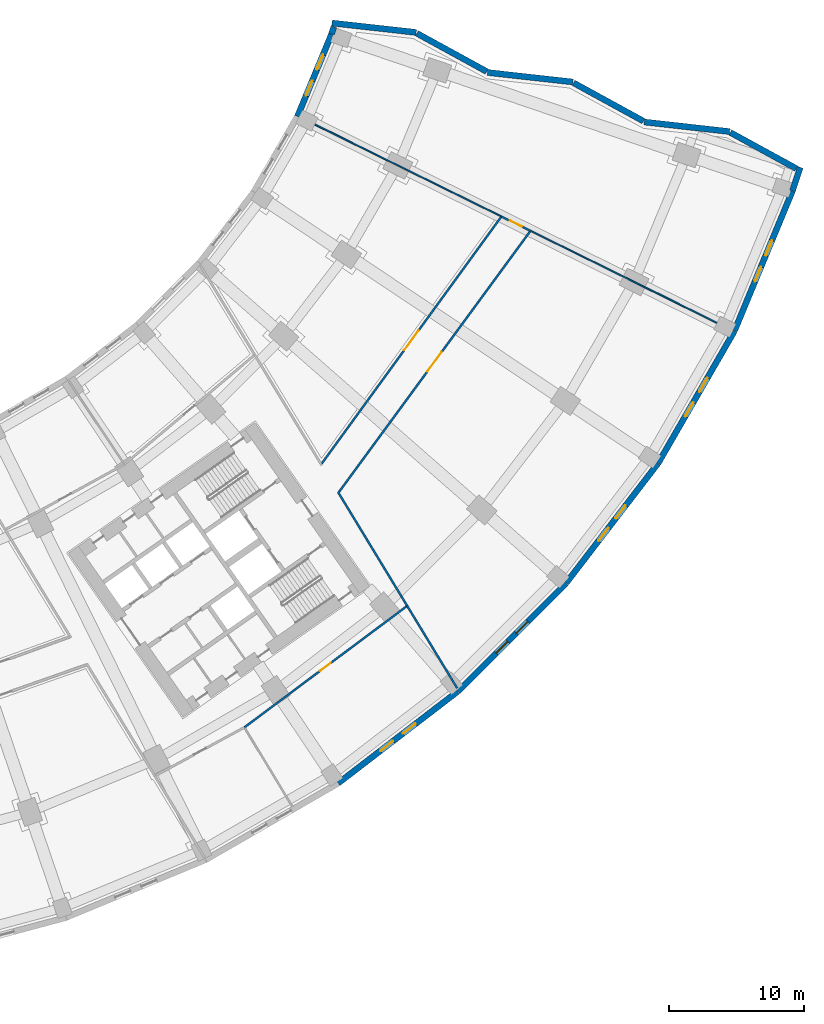
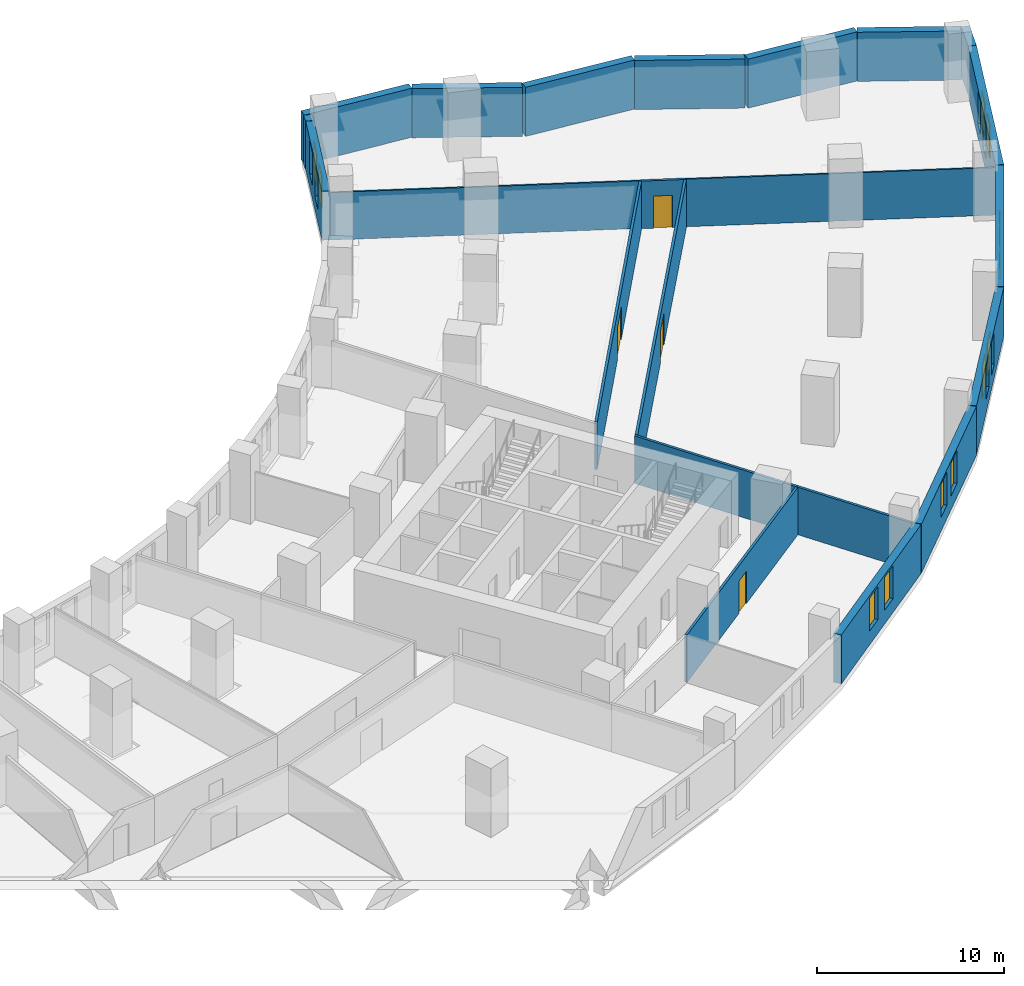
# One storey, part 13 of 20: 22 walls, 12 windows, 4 doors, 16 openings.
"""IFC4 building model written with IfcOpenShell, lengths in metres."""

from ifc_helpers import new_model, si_unit, direction, frame, frame_2d, origin, place, context, subcontext, project, spatial, rectangle, extrude, material, layer, layer_set, type_object, element, fill, save


model = new_model("IFC4")

# Units and contexts
model_context = context("Model", 3, precision=1e-05, world=origin(), true_north=direction((0.0, 1.0)))
body_context = subcontext(model_context, "Body", "Model", "MODEL_VIEW")
ifc_project = project(units=[si_unit("LENGTHUNIT", "METRE"), si_unit("AREAUNIT", "SQUARE_METRE"), si_unit("VOLUMEUNIT", "CUBIC_METRE"), si_unit("PLANEANGLEUNIT", "RADIAN"), si_unit("MASSUNIT", "GRAM", prefix="KILO")], contexts=[model_context])

# Site, building, storey
site_placement = place(None, origin())
site = spatial("IfcSite", under=ifc_project, at=site_placement, CompositionType="ELEMENT")
building_placement = place(site_placement, origin())
building = spatial("IfcBuilding", under=site, at=building_placement, Name="Qamariyya Broadcast Tower", CompositionType="ELEMENT")
storey_placement = place(building_placement, frame((0.0, 0.0, 31.5)))
storey = spatial("IfcBuildingStorey", under=building, at=storey_placement, Name="L04", CompositionType="ELEMENT", Elevation=31.5)

# Wall, opening, door
ifc_material_1 = material(Name="Gypsum board partition")
ifc_layer_1 = layer(ifc_material_1, 0.14990234375)
ifc_layer_set_1 = layer_set([ifc_layer_1], Name="Corridor partition 150 EI 60")
wall_type_1 = type_object("IfcWallType", Name="Corridor partition 150 EI 60", PredefinedType="PARTITIONING", material=ifc_layer_set_1)
wall_1_placement = place(storey_placement, frame((52.87548828125, -58.41650390625, 0.0), z_axis=(0.0, 0.0, 1.0), x_axis=(-0.801483412858, -0.598017005539, 0.0)))
wall_1 = element("IfcWall", 1, at=wall_1_placement, inside=storey, type_object=wall_type_1, Name="Partition L04-055", PredefinedType="PARTITIONING", context=body_context, shape_type="SweptSolid", body=[
    extrude(rectangle(XDim=14.96533203125, YDim=0.14990234375, at=frame_2d((7.482666015625, 0.0))), origin(), (0.0, 0.0, 1.0), 3.10009765625),
])
opening_1_placement = place(wall_1_placement, frame((6.982666015625, 0.0, 0.0)))
opening_1 = element("IfcOpeningElement", 2, at=opening_1_placement, cuts=wall_1, Name="Opening L04-D25", PredefinedType="OPENING", context=body_context, shape_type="SweptSolid", body=[
    extrude(rectangle(XDim=1.0, YDim=2.10009765625, at=frame_2d((0.5, 1.050048828125))), frame((0.0, 0.0849609375, 0.0), z_axis=(0.0, -1.0, 0.0), x_axis=(1.0, 0.0, 0.0)), (0.0, 0.0, 1.0), 0.169921875),
])
ifc_material_2 = material(Name="Timber fire door leaf", Category="wood")
door_type_1 = type_object("IfcDoorType", Name="Fire door 1000 x 2100 FD60", OperationType="NOTDEFINED", PredefinedType="DOOR", material=ifc_material_2)
door_1_placement = place(opening_1_placement, origin())
door_1 = element("IfcDoor", 3, at=door_1_placement, inside=storey, type_object=door_type_1, Name="Door L04-D25", OperationType="SINGLE_SWING_RIGHT", OverallHeight=2.10009765625, OverallWidth=1.0, PredefinedType="DOOR", context=body_context, shape_type="SweptSolid", body=[
    extrude(rectangle(XDim=1.0, YDim=2.10009765625, at=frame_2d((0.5, 1.050048828125))), frame((0.0, 0.02490234375, 0.0), z_axis=(0.0, -1.0, 0.0), x_axis=(1.0, 0.0, 0.0)), (0.0, 0.0, 1.0), 0.050048828125),
])
fill(opening_1, door_1)

wall_2_placement = place(storey_placement, frame((46.613525390625, -47.830322265625, 0.0), z_axis=(0.0, 0.0, 1.0), x_axis=(0.588142064446, 0.808757634912, 0.0)))
wall_2 = element("IfcWall", 4, at=wall_2_placement, inside=storey, type_object=wall_type_1, Name="Partition L04-058", PredefinedType="PARTITIONING", context=body_context, shape_type="SweptSolid", body=[
    extrude(rectangle(XDim=22.534423828125, YDim=0.14990234375, at=frame_2d((11.26708984375, 0.0))), origin(), (0.0, 0.0, 1.0), 3.10009765625),
])
opening_2_placement = place(wall_2_placement, frame((10.3671875, 0.0, 0.0)))
opening_2 = element("IfcOpeningElement", 5, at=opening_2_placement, cuts=wall_2, Name="Opening L04-D26", PredefinedType="OPENING", context=body_context, shape_type="SweptSolid", body=[
    extrude(rectangle(XDim=1.800048828125, YDim=2.10009765625, at=frame_2d((0.89990234375, 1.050048828125))), frame((0.0, 0.0849609375, 0.0), z_axis=(0.0, -1.0, 0.0), x_axis=(1.0, 0.0, 0.0)), (0.0, 0.0, 1.0), 0.169921875),
])
door_type_2 = type_object("IfcDoorType", Name="Double fire door 1800 x 2100 FD60", OperationType="NOTDEFINED", PredefinedType="DOOR", material=ifc_material_2)
door_2_placement = place(opening_2_placement, origin())
door_2 = element("IfcDoor", 6, at=door_2_placement, inside=storey, type_object=door_type_2, Name="Door L04-D26", OperationType="DOUBLE_DOOR_SINGLE_SWING", OverallHeight=2.10009765625, OverallWidth=1.800048828125, PredefinedType="DOOR", context=body_context, shape_type="SweptSolid", body=[
    extrude(rectangle(XDim=1.800048828125, YDim=2.10009765625, at=frame_2d((0.89990234375, 1.050048828125))), frame((0.0, 0.02490234375, 0.0), z_axis=(0.0, -1.0, 0.0), x_axis=(1.0, 0.0, 0.0)), (0.0, 0.0, 1.0), 0.050048828125),
])
fill(opening_2, door_2)

# Wall
wall_3_placement = place(storey_placement, frame((47.8076171875, -49.929443359375, 0.0), z_axis=(0.0, 0.0, 1.0), x_axis=(0.519169679695, -0.854671190392, 0.0)))
element("IfcWall", 7, at=wall_3_placement, inside=storey, type_object=wall_type_1, Name="Partition L04-059", PredefinedType="PARTITIONING", context=body_context, shape_type="SweptSolid", body=[
    extrude(rectangle(XDim=9.877685546875, YDim=0.14990234375, at=frame_2d((4.93896484375, 0.0))), origin(), (0.0, 0.0, 1.0), 3.10009765625),
])

# Wall, opening, door
wall_4_placement = place(storey_placement, frame((62.019287109375, -30.666748046875, 0.0), z_axis=(0.0, 0.0, 1.0), x_axis=(-0.59135701849, -0.806409868915, 0.0)))
wall_4 = element("IfcWall", 8, at=wall_4_placement, inside=storey, type_object=wall_type_1, Name="Partition L04-060", PredefinedType="PARTITIONING", context=body_context, shape_type="SweptSolid", body=[
    extrude(rectangle(XDim=23.8916015625, YDim=0.14990234375, at=frame_2d((11.94580078125, 0.0))), origin(), (0.0, 0.0, 1.0), 3.10009765625),
])
opening_3_placement = place(wall_4_placement, frame((11.045654296875, 0.0, 0.0)))
opening_3 = element("IfcOpeningElement", 9, at=opening_3_placement, cuts=wall_4, Name="Opening L04-D27", PredefinedType="OPENING", context=body_context, shape_type="SweptSolid", body=[
    extrude(rectangle(XDim=1.800048828125, YDim=2.10009765625, at=frame_2d((0.89990234375, 1.050048828125))), frame((0.0, 0.0849609375, 0.0), z_axis=(0.0, -1.0, 0.0), x_axis=(1.0, 0.0, 0.0)), (0.0, 0.0, 1.0), 0.169921875),
])
door_3_placement = place(opening_3_placement, origin())
door_3 = element("IfcDoor", 10, at=door_3_placement, inside=storey, type_object=door_type_2, Name="Door L04-D27", OperationType="DOUBLE_DOOR_SINGLE_SWING", OverallHeight=2.10009765625, OverallWidth=1.800048828125, PredefinedType="DOOR", context=body_context, shape_type="SweptSolid", body=[
    extrude(rectangle(XDim=1.800048828125, YDim=2.10009765625, at=frame_2d((0.89990234375, 1.050048828125))), frame((0.0, 0.02490234375, 0.0), z_axis=(0.0, -1.0, 0.0), x_axis=(1.0, 0.0, 0.0)), (0.0, 0.0, 1.0), 0.050048828125),
])
fill(opening_3, door_3)

# Wall
wall_5_placement = place(storey_placement, frame((52.935791015625, -58.37158203125, 0.0), z_axis=(0.0, 0.0, 1.0), x_axis=(0.519148894699, -0.854683815883, 0.0)))
element("IfcWall", 11, at=wall_5_placement, inside=storey, type_object=wall_type_1, Name="Partition L04-061", PredefinedType="PARTITIONING", context=body_context, shape_type="SweptSolid", body=[
    extrude(rectangle(XDim=7.12548828125, YDim=0.14990234375, at=frame_2d((3.562744140625, 0.0))), origin(), (0.0, 0.0, 1.0), 3.10009765625),
])

# Wall, opening, door
wall_6_placement = place(storey_placement, frame((59.9111328125, -29.544921875, 0.0), z_axis=(0.0, 0.0, 1.0), x_axis=(0.896855391649, -0.442323870564, 0.0)))
wall_6 = element("IfcWall", 12, at=wall_6_placement, inside=storey, type_object=wall_type_1, Name="Partition L04-063", PredefinedType="PARTITIONING", context=body_context, shape_type="SweptSolid", body=[
    extrude(rectangle(XDim=2.39990234375, YDim=0.14990234375, at=frame_2d((1.199951171875, 0.0))), origin(), (0.0, 0.0, 1.0), 3.10009765625),
])
opening_4_placement = place(wall_6_placement, frame((0.699951171875, 0.0, 0.0)))
opening_4 = element("IfcOpeningElement", 13, at=opening_4_placement, cuts=wall_6, Name="Opening L04-D28", PredefinedType="OPENING", context=body_context, shape_type="SweptSolid", body=[
    extrude(rectangle(XDim=1.0, YDim=2.10009765625, at=frame_2d((0.5, 1.050048828125))), frame((0.0, 0.0849609375, 0.0), z_axis=(0.0, -1.0, 0.0), x_axis=(1.0, 0.0, 0.0)), (0.0, 0.0, 1.0), 0.169921875),
])
door_4_placement = place(opening_4_placement, origin())
door_4 = element("IfcDoor", 14, at=door_4_placement, inside=storey, type_object=door_type_1, Name="Door L04-D28", OperationType="SINGLE_SWING_RIGHT", OverallHeight=2.10009765625, OverallWidth=1.0, PredefinedType="DOOR", context=body_context, shape_type="SweptSolid", body=[
    extrude(rectangle(XDim=1.0, YDim=2.10009765625, at=frame_2d((0.5, 1.050048828125))), frame((0.0, 0.02490234375, 0.0), z_axis=(0.0, -1.0, 0.0), x_axis=(1.0, 0.0, 0.0)), (0.0, 0.0, 1.0), 0.050048828125),
])
fill(opening_4, door_4)

# Walls
ifc_layer_2 = layer(ifc_material_1, 0.10009765625)
ifc_layer_set_2 = layer_set([ifc_layer_2], Name="Partition 100")
wall_type_2 = type_object("IfcWallType", Name="Partition 100", PredefinedType="PARTITIONING", material=ifc_layer_set_2)
for number, where, z_axis, x_axis, name in (
    (15, (59.9111328125, -29.544921875, 0.0), (0.0, 0.0, 1.0), (-0.896872708689, 0.44228875682, 0.0), "Partition L04-062"),
    (16, (76.95166015625, -37.948486328125, 0.0), (0.0, 0.0, 1.0), (-0.896872708689, 0.44228875682, 0.0), "Partition L04-064"),
):
    element("IfcWall", number, at=place(storey_placement, frame(where, z_axis=z_axis, x_axis=x_axis)), inside=storey, type_object=wall_type_2, Name=name, PredefinedType="PARTITIONING", context=body_context, shape_type="SweptSolid", body=[
        extrude(rectangle(XDim=16.60009765625, YDim=0.10009765625, at=frame_2d((8.300048828125, 0.0))), origin(), (0.0, 0.0, 1.0), 3.10009765625),
    ])
ifc_material_3 = material(Name="Precast concrete C40/50 with terracotta facing", Category="masonry")
ifc_layer_3 = layer(ifc_material_3, 0.449951171875)
ifc_layer_set_3 = layer_set([ifc_layer_3], Name="Precast concrete C40/50 wall 450, terracotta faced")
wall_type_3 = type_object("IfcWallType", Name="Precast concrete C40/50 wall 450, terracotta faced", PredefinedType="SOLIDWALL", material=ifc_layer_set_3)
wall_7_placement = place(storey_placement, frame((81.734130859375, -25.98974609375, 0.0), z_axis=(0.0, 0.0, 1.0), x_axis=(-0.877209140108, 0.480108450781, 0.0)))
element("IfcWall", 17, at=wall_7_placement, inside=storey, type_object=wall_type_3, Name="e-wl-L04-capE0", PredefinedType="SOLIDWALL", context=body_context, shape_type="SweptSolid", body=[
    extrude(rectangle(XDim=5.552978515625, YDim=0.449951171875, at=frame_2d((2.7763671875, 0.0))), origin(), (0.0, 0.0, 1.0), 3.199951171875),
])
wall_8_placement = place(storey_placement, frame((76.803955078125, -23.254638671875, 0.0), z_axis=(0.0, 0.0, 1.0), x_axis=(-0.993813805196, 0.111059086081, 0.0)))
element("IfcWall", 18, at=wall_8_placement, inside=storey, type_object=wall_type_3, Name="e-wl-L04-capE1", PredefinedType="SOLIDWALL", context=body_context, shape_type="SweptSolid", body=[
    extrude(rectangle(XDim=6.36181640625, YDim=0.449951171875, at=frame_2d((3.180908203125, 0.0))), origin(), (0.0, 0.0, 1.0), 3.199951171875),
])
wall_9_placement = place(storey_placement, frame((70.42236328125, -22.47900390625, 0.0), z_axis=(0.0, 0.0, 1.0), x_axis=(-0.877230259454, 0.480069861477, 0.0)))
element("IfcWall", 19, at=wall_9_placement, inside=storey, type_object=wall_type_3, Name="e-wl-L04-capE2", PredefinedType="SOLIDWALL", context=body_context, shape_type="SweptSolid", body=[
    extrude(rectangle(XDim=5.883544921875, YDim=0.449951171875, at=frame_2d((2.94189453125, 0.0))), origin(), (0.0, 0.0, 1.0), 3.199951171875),
])
wall_10_placement = place(storey_placement, frame((65.201904296875, -19.58544921875, 0.0), z_axis=(0.0, 0.0, 1.0), x_axis=(-0.993818963433, 0.111012917816, 0.0)))
element("IfcWall", 20, at=wall_10_placement, inside=storey, type_object=wall_type_3, Name="e-wl-L04-capE3", PredefinedType="SOLIDWALL", context=body_context, shape_type="SweptSolid", body=[
    extrude(rectangle(XDim=6.360107421875, YDim=0.449951171875, at=frame_2d((3.18017578125, 0.0))), origin(), (0.0, 0.0, 1.0), 3.199951171875),
])
wall_11_placement = place(storey_placement, frame((58.822021484375, -18.810302734375, 0.0), z_axis=(0.0, 0.0, 1.0), x_axis=(-0.87728135657, 0.479976480064, 0.0)))
element("IfcWall", 21, at=wall_11_placement, inside=storey, type_object=wall_type_3, Name="e-wl-L04-capE4", PredefinedType="SOLIDWALL", context=body_context, shape_type="SweptSolid", body=[
    extrude(rectangle(XDim=5.885498046875, YDim=0.449951171875, at=frame_2d((2.94287109375, 0.0))), origin(), (0.0, 0.0, 1.0), 3.199951171875),
])
wall_12_placement = place(storey_placement, frame((53.599365234375, -15.916015625, 0.0), z_axis=(0.0, 0.0, 1.0), x_axis=(-0.993827533543, 0.110936168908, 0.0)))
element("IfcWall", 22, at=wall_12_placement, inside=storey, type_object=wall_type_3, Name="e-wl-L04-capE5", PredefinedType="SOLIDWALL", context=body_context, shape_type="SweptSolid", body=[
    extrude(rectangle(XDim=6.265380859375, YDim=0.449951171875, at=frame_2d((3.1328125, 0.0))), origin(), (0.0, 0.0, 1.0), 3.199951171875),
])

# Wall, openings, windows
wall_13_placement = place(storey_placement, frame((47.32666015625, -16.055908203125, 0.0), z_axis=(0.0, 0.0, 1.0), x_axis=(-0.382692796414, -0.92387565374, 0.0)))
wall_13 = element("IfcWall", 23, at=wall_13_placement, inside=storey, type_object=wall_type_3, Name="e-wl-L04-in190", PredefinedType="SOLIDWALL", context=body_context, shape_type="SweptSolid", body=[
    extrude(rectangle(XDim=6.575927734375, YDim=0.449951171875, at=frame_2d((3.2880859375, 0.0))), origin(), (0.0, 0.0, 1.0), 3.199951171875),
])
opening_5_placement = place(wall_13_placement, frame((3.727294921875, 0.0, 0.89990234375)))
opening_5 = element("IfcOpeningElement", 24, at=opening_5_placement, cuts=wall_13, Name="Opening W3", PredefinedType="OPENING", context=body_context, shape_type="SweptSolid", body=[
    extrude(rectangle(XDim=1.199951171875, YDim=2.14990234375, at=frame_2d((0.60009765625, 1.074951171875))), frame((0.0, 0.23486328125, 0.0), z_axis=(0.0, -1.0, 0.0), x_axis=(1.0, 0.0, 0.0)), (0.0, 0.0, 1.0), 0.469970703125),
])
opening_6_placement = place(wall_13_placement, frame((1.62744140625, 0.0, 0.89990234375)))
opening_6 = element("IfcOpeningElement", 25, at=opening_6_placement, cuts=wall_13, Name="Opening W3", PredefinedType="OPENING", context=body_context, shape_type="SweptSolid", body=[
    extrude(rectangle(XDim=1.199951171875, YDim=2.14990234375, at=frame_2d((0.60009765625, 1.074951171875))), frame((0.0, 0.23486328125, 0.0), z_axis=(0.0, -1.0, 0.0), x_axis=(1.0, 0.0, 0.0)), (0.0, 0.0, 1.0), 0.469970703125),
])
ifc_material_4 = material(Name="Clear low-e double glazed unit in aluminium frame", Category="aluminium")
window_type = type_object("IfcWindowType", Name="Podium window 1200 x 2150", PartitioningType="SINGLE_PANEL", PredefinedType="WINDOW", material=ifc_material_4)
window_1_placement = place(opening_5_placement, origin())
window_1 = element("IfcWindow", 26, at=window_1_placement, inside=storey, type_object=window_type, Name="e-w-L04-in19a", OverallHeight=2.14990234375, OverallWidth=1.199951171875, PartitioningType="SINGLE_PANEL", PredefinedType="WINDOW", context=body_context, shape_type="SweptSolid", body=[
    extrude(rectangle(XDim=1.199951171875, YDim=2.14990234375, at=frame_2d((0.60009765625, 1.074951171875))), frame((0.0, 0.030029296875, 0.0), z_axis=(0.0, -1.0, 0.0), x_axis=(1.0, 0.0, 0.0)), (0.0, 0.0, 1.0), 0.06005859375),
])
fill(opening_5, window_1)
window_2_placement = place(opening_6_placement, origin())
window_2 = element("IfcWindow", 27, at=window_2_placement, inside=storey, type_object=window_type, Name="e-w-L04-in19b", OverallHeight=2.14990234375, OverallWidth=1.199951171875, PartitioningType="SINGLE_PANEL", PredefinedType="WINDOW", context=body_context, shape_type="SweptSolid", body=[
    extrude(rectangle(XDim=1.199951171875, YDim=2.14990234375, at=frame_2d((0.60009765625, 1.074951171875))), frame((0.0, 0.030029296875, 0.0), z_axis=(0.0, -1.0, 0.0), x_axis=(1.0, 0.0, 0.0)), (0.0, 0.0, 1.0), 0.06005859375),
])
fill(opening_6, window_2)

# Wall
wall_14_placement = place(storey_placement, frame((47.508544921875, -15.497314453125, 0.0), z_axis=(0.0, 0.0, 1.0), x_axis=(-0.311474670585, -0.950254455177, 0.0)))
element("IfcWall", 28, at=wall_14_placement, inside=storey, type_object=wall_type_3, Name="e-wl-L04-in200", PredefinedType="SOLIDWALL", context=body_context, shape_type="SweptSolid", body=[
    extrude(rectangle(XDim=0.570556640625, YDim=0.449951171875, at=frame_2d((0.28515625, 0.0))), origin(), (0.0, 0.0, 1.0), 3.199951171875),
])

# Wall, openings, windows
wall_15_placement = place(storey_placement, frame((47.83935546875, -71.490966796875, 0.0), z_axis=(0.0, 0.0, 1.0), x_axis=(0.793355377778, 0.608758773695, 0.0)))
wall_15 = element("IfcWall", 29, at=wall_15_placement, inside=storey, type_object=wall_type_3, Name="e-wl-L04-out150", PredefinedType="SOLIDWALL", context=body_context, shape_type="SweptSolid", body=[
    extrude(rectangle(XDim=11.134765625, YDim=0.449951171875, at=frame_2d((5.5673828125, 0.0))), origin(), (0.0, 0.0, 1.0), 3.199951171875),
])
opening_7_placement = place(wall_15_placement, frame((3.917236328125, 0.0, 0.89990234375)))
opening_7 = element("IfcOpeningElement", 30, at=opening_7_placement, cuts=wall_15, Name="Opening W3", PredefinedType="OPENING", context=body_context, shape_type="SweptSolid", body=[
    extrude(rectangle(XDim=1.199951171875, YDim=2.14990234375, at=frame_2d((0.60009765625, 1.074951171875))), frame((0.0, 0.23486328125, 0.0), z_axis=(0.0, -1.0, 0.0), x_axis=(1.0, 0.0, 0.0)), (0.0, 0.0, 1.0), 0.469970703125),
])
opening_8_placement = place(wall_15_placement, frame((6.017333984375, 0.0, 0.89990234375)))
opening_8 = element("IfcOpeningElement", 31, at=opening_8_placement, cuts=wall_15, Name="Opening W3", PredefinedType="OPENING", context=body_context, shape_type="SweptSolid", body=[
    extrude(rectangle(XDim=1.199951171875, YDim=2.14990234375, at=frame_2d((0.60009765625, 1.074951171875))), frame((0.0, 0.23486328125, 0.0), z_axis=(0.0, -1.0, 0.0), x_axis=(1.0, 0.0, 0.0)), (0.0, 0.0, 1.0), 0.469970703125),
])
window_3_placement = place(opening_7_placement, origin())
window_3 = element("IfcWindow", 32, at=window_3_placement, inside=storey, type_object=window_type, Name="e-w-L04-out15a", OverallHeight=2.14990234375, OverallWidth=1.199951171875, PartitioningType="SINGLE_PANEL", PredefinedType="WINDOW", context=body_context, shape_type="SweptSolid", body=[
    extrude(rectangle(XDim=1.199951171875, YDim=2.14990234375, at=frame_2d((0.60009765625, 1.074951171875))), frame((0.0, 0.030029296875, 0.0), z_axis=(0.0, -1.0, 0.0), x_axis=(1.0, 0.0, 0.0)), (0.0, 0.0, 1.0), 0.06005859375),
])
fill(opening_7, window_3)
window_4_placement = place(opening_8_placement, origin())
window_4 = element("IfcWindow", 33, at=window_4_placement, inside=storey, type_object=window_type, Name="e-w-L04-out15b", OverallHeight=2.14990234375, OverallWidth=1.199951171875, PartitioningType="SINGLE_PANEL", PredefinedType="WINDOW", context=body_context, shape_type="SweptSolid", body=[
    extrude(rectangle(XDim=1.199951171875, YDim=2.14990234375, at=frame_2d((0.60009765625, 1.074951171875))), frame((0.0, 0.030029296875, 0.0), z_axis=(0.0, -1.0, 0.0), x_axis=(1.0, 0.0, 0.0)), (0.0, 0.0, 1.0), 0.06005859375),
])
fill(opening_8, window_4)

wall_16_placement = place(storey_placement, frame((56.69873046875, -64.69775390625, 0.0), z_axis=(0.0, 0.0, 1.0), x_axis=(0.707106781187, 0.707106781187, 0.0)))
wall_16 = element("IfcWall", 34, at=wall_16_placement, inside=storey, type_object=wall_type_3, Name="e-wl-L04-out160", PredefinedType="SOLIDWALL", context=body_context, shape_type="SweptSolid", body=[
    extrude(rectangle(XDim=11.312255859375, YDim=0.449951171875, at=frame_2d((5.65625, 0.0))), origin(), (0.0, 0.0, 1.0), 3.199951171875),
])
opening_9_placement = place(wall_16_placement, frame((4.00634765625, 0.0, 0.89990234375)))
opening_9 = element("IfcOpeningElement", 35, at=opening_9_placement, cuts=wall_16, Name="Opening W3", PredefinedType="OPENING", context=body_context, shape_type="SweptSolid", body=[
    extrude(rectangle(XDim=1.199951171875, YDim=2.14990234375, at=frame_2d((0.60009765625, 1.074951171875))), frame((0.0, 0.23486328125, 0.0), z_axis=(0.0, -1.0, 0.0), x_axis=(1.0, 0.0, 0.0)), (0.0, 0.0, 1.0), 0.469970703125),
])
opening_10_placement = place(wall_16_placement, frame((6.106201171875, 0.0, 0.89990234375)))
opening_10 = element("IfcOpeningElement", 36, at=opening_10_placement, cuts=wall_16, Name="Opening W3", PredefinedType="OPENING", context=body_context, shape_type="SweptSolid", body=[
    extrude(rectangle(XDim=1.199951171875, YDim=2.14990234375, at=frame_2d((0.60009765625, 1.074951171875))), frame((0.0, 0.23486328125, 0.0), z_axis=(0.0, -1.0, 0.0), x_axis=(1.0, 0.0, 0.0)), (0.0, 0.0, 1.0), 0.469970703125),
])
window_5_placement = place(opening_9_placement, origin())
window_5 = element("IfcWindow", 37, at=window_5_placement, inside=storey, type_object=window_type, Name="e-w-L04-out16a", OverallHeight=2.14990234375, OverallWidth=1.199951171875, PartitioningType="SINGLE_PANEL", PredefinedType="WINDOW", context=body_context, shape_type="SweptSolid", body=[
    extrude(rectangle(XDim=1.199951171875, YDim=2.14990234375, at=frame_2d((0.60009765625, 1.074951171875))), frame((0.0, 0.030029296875, 0.0), z_axis=(0.0, -1.0, 0.0), x_axis=(1.0, 0.0, 0.0)), (0.0, 0.0, 1.0), 0.06005859375),
])
fill(opening_9, window_5)
window_6_placement = place(opening_10_placement, origin())
window_6 = element("IfcWindow", 38, at=window_6_placement, inside=storey, type_object=window_type, Name="e-w-L04-out16b", OverallHeight=2.14990234375, OverallWidth=1.199951171875, PartitioningType="SINGLE_PANEL", PredefinedType="WINDOW", context=body_context, shape_type="SweptSolid", body=[
    extrude(rectangle(XDim=1.199951171875, YDim=2.14990234375, at=frame_2d((0.60009765625, 1.074951171875))), frame((0.0, 0.030029296875, 0.0), z_axis=(0.0, -1.0, 0.0), x_axis=(1.0, 0.0, 0.0)), (0.0, 0.0, 1.0), 0.06005859375),
])
fill(opening_10, window_6)

wall_17_placement = place(storey_placement, frame((64.712646484375, -56.673095703125, 0.0), z_axis=(0.0, 0.0, 1.0), x_axis=(0.608758773695, 0.793355377778, 0.0)))
wall_17 = element("IfcWall", 39, at=wall_17_placement, inside=storey, type_object=wall_type_3, Name="e-wl-L04-out170", PredefinedType="SOLIDWALL", context=body_context, shape_type="SweptSolid", body=[
    extrude(rectangle(XDim=11.134765625, YDim=0.449951171875, at=frame_2d((5.5673828125, 0.0))), origin(), (0.0, 0.0, 1.0), 3.199951171875),
])
opening_11_placement = place(wall_17_placement, frame((3.917236328125, 0.0, 0.89990234375)))
opening_11 = element("IfcOpeningElement", 40, at=opening_11_placement, cuts=wall_17, Name="Opening W3", PredefinedType="OPENING", context=body_context, shape_type="SweptSolid", body=[
    extrude(rectangle(XDim=1.199951171875, YDim=2.14990234375, at=frame_2d((0.60009765625, 1.074951171875))), frame((0.0, 0.23486328125, 0.0), z_axis=(0.0, -1.0, 0.0), x_axis=(1.0, 0.0, 0.0)), (0.0, 0.0, 1.0), 0.469970703125),
])
opening_12_placement = place(wall_17_placement, frame((6.017333984375, 0.0, 0.89990234375)))
opening_12 = element("IfcOpeningElement", 41, at=opening_12_placement, cuts=wall_17, Name="Opening W3", PredefinedType="OPENING", context=body_context, shape_type="SweptSolid", body=[
    extrude(rectangle(XDim=1.199951171875, YDim=2.14990234375, at=frame_2d((0.60009765625, 1.074951171875))), frame((0.0, 0.23486328125, 0.0), z_axis=(0.0, -1.0, 0.0), x_axis=(1.0, 0.0, 0.0)), (0.0, 0.0, 1.0), 0.469970703125),
])
window_7_placement = place(opening_11_placement, origin())
window_7 = element("IfcWindow", 42, at=window_7_placement, inside=storey, type_object=window_type, Name="e-w-L04-out17a", OverallHeight=2.14990234375, OverallWidth=1.199951171875, PartitioningType="SINGLE_PANEL", PredefinedType="WINDOW", context=body_context, shape_type="SweptSolid", body=[
    extrude(rectangle(XDim=1.199951171875, YDim=2.14990234375, at=frame_2d((0.60009765625, 1.074951171875))), frame((0.0, 0.030029296875, 0.0), z_axis=(0.0, -1.0, 0.0), x_axis=(1.0, 0.0, 0.0)), (0.0, 0.0, 1.0), 0.06005859375),
])
fill(opening_11, window_7)
window_8_placement = place(opening_12_placement, origin())
window_8 = element("IfcWindow", 43, at=window_8_placement, inside=storey, type_object=window_type, Name="e-w-L04-out17b", OverallHeight=2.14990234375, OverallWidth=1.199951171875, PartitioningType="SINGLE_PANEL", PredefinedType="WINDOW", context=body_context, shape_type="SweptSolid", body=[
    extrude(rectangle(XDim=1.199951171875, YDim=2.14990234375, at=frame_2d((0.60009765625, 1.074951171875))), frame((0.0, 0.030029296875, 0.0), z_axis=(0.0, -1.0, 0.0), x_axis=(1.0, 0.0, 0.0)), (0.0, 0.0, 1.0), 0.06005859375),
])
fill(opening_12, window_8)

wall_18_placement = place(storey_placement, frame((71.51171875, -47.818603515625, 0.0), z_axis=(0.0, 0.0, 1.0), x_axis=(0.500001430823, 0.866024577697, 0.0)))
wall_18 = element("IfcWall", 44, at=wall_18_placement, inside=storey, type_object=wall_type_3, Name="e-wl-L04-out180", PredefinedType="SOLIDWALL", context=body_context, shape_type="SweptSolid", body=[
    extrude(rectangle(XDim=11.3125, YDim=0.449951171875, at=frame_2d((5.65625, 0.0))), origin(), (0.0, 0.0, 1.0), 3.199951171875),
])
opening_13_placement = place(wall_18_placement, frame((4.00634765625, 0.0, 0.89990234375)))
opening_13 = element("IfcOpeningElement", 45, at=opening_13_placement, cuts=wall_18, Name="Opening W3", PredefinedType="OPENING", context=body_context, shape_type="SweptSolid", body=[
    extrude(rectangle(XDim=1.199951171875, YDim=2.14990234375, at=frame_2d((0.60009765625, 1.074951171875))), frame((0.0, 0.23486328125, 0.0), z_axis=(0.0, -1.0, 0.0), x_axis=(1.0, 0.0, 0.0)), (0.0, 0.0, 1.0), 0.469970703125),
])
opening_14_placement = place(wall_18_placement, frame((6.106201171875, 0.0, 0.89990234375)))
opening_14 = element("IfcOpeningElement", 46, at=opening_14_placement, cuts=wall_18, Name="Opening W3", PredefinedType="OPENING", context=body_context, shape_type="SweptSolid", body=[
    extrude(rectangle(XDim=1.199951171875, YDim=2.14990234375, at=frame_2d((0.60009765625, 1.074951171875))), frame((0.0, 0.23486328125, 0.0), z_axis=(0.0, -1.0, 0.0), x_axis=(1.0, 0.0, 0.0)), (0.0, 0.0, 1.0), 0.469970703125),
])
window_9_placement = place(opening_13_placement, origin())
window_9 = element("IfcWindow", 47, at=window_9_placement, inside=storey, type_object=window_type, Name="e-w-L04-out18a", OverallHeight=2.14990234375, OverallWidth=1.199951171875, PartitioningType="SINGLE_PANEL", PredefinedType="WINDOW", context=body_context, shape_type="SweptSolid", body=[
    extrude(rectangle(XDim=1.199951171875, YDim=2.14990234375, at=frame_2d((0.60009765625, 1.074951171875))), frame((0.0, 0.030029296875, 0.0), z_axis=(0.0, -1.0, 0.0), x_axis=(1.0, 0.0, 0.0)), (0.0, 0.0, 1.0), 0.06005859375),
])
fill(opening_13, window_9)
window_10_placement = place(opening_14_placement, origin())
window_10 = element("IfcWindow", 48, at=window_10_placement, inside=storey, type_object=window_type, Name="e-w-L04-out18b", OverallHeight=2.14990234375, OverallWidth=1.199951171875, PartitioningType="SINGLE_PANEL", PredefinedType="WINDOW", context=body_context, shape_type="SweptSolid", body=[
    extrude(rectangle(XDim=1.199951171875, YDim=2.14990234375, at=frame_2d((0.60009765625, 1.074951171875))), frame((0.0, 0.030029296875, 0.0), z_axis=(0.0, -1.0, 0.0), x_axis=(1.0, 0.0, 0.0)), (0.0, 0.0, 1.0), 0.06005859375),
])
fill(opening_14, window_10)

wall_19_placement = place(storey_placement, frame((77.175537109375, -37.9931640625, 0.0), z_axis=(0.0, 0.0, 1.0), x_axis=(0.382700611107, 0.923872416656, 0.0)))
wall_19 = element("IfcWall", 49, at=wall_19_placement, inside=storey, type_object=wall_type_3, Name="e-wl-L04-out190", PredefinedType="SOLIDWALL", context=body_context, shape_type="SweptSolid", body=[
    extrude(rectangle(XDim=11.167724609375, YDim=0.449951171875, at=frame_2d((5.583984375, 0.0))), origin(), (0.0, 0.0, 1.0), 3.199951171875),
])
opening_15_placement = place(wall_19_placement, frame((3.917236328125, 0.0, 0.89990234375)))
opening_15 = element("IfcOpeningElement", 50, at=opening_15_placement, cuts=wall_19, Name="Opening W3", PredefinedType="OPENING", context=body_context, shape_type="SweptSolid", body=[
    extrude(rectangle(XDim=1.199951171875, YDim=2.14990234375, at=frame_2d((0.60009765625, 1.074951171875))), frame((0.0, 0.23486328125, 0.0), z_axis=(0.0, -1.0, 0.0), x_axis=(1.0, 0.0, 0.0)), (0.0, 0.0, 1.0), 0.469970703125),
])
opening_16_placement = place(wall_19_placement, frame((6.017333984375, 0.0, 0.89990234375)))
opening_16 = element("IfcOpeningElement", 51, at=opening_16_placement, cuts=wall_19, Name="Opening W3", PredefinedType="OPENING", context=body_context, shape_type="SweptSolid", body=[
    extrude(rectangle(XDim=1.199951171875, YDim=2.14990234375, at=frame_2d((0.60009765625, 1.074951171875))), frame((0.0, 0.23486328125, 0.0), z_axis=(0.0, -1.0, 0.0), x_axis=(1.0, 0.0, 0.0)), (0.0, 0.0, 1.0), 0.469970703125),
])
window_11_placement = place(opening_15_placement, origin())
window_11 = element("IfcWindow", 52, at=window_11_placement, inside=storey, type_object=window_type, Name="e-w-L04-out19a", OverallHeight=2.14990234375, OverallWidth=1.199951171875, PartitioningType="SINGLE_PANEL", PredefinedType="WINDOW", context=body_context, shape_type="SweptSolid", body=[
    extrude(rectangle(XDim=1.199951171875, YDim=2.14990234375, at=frame_2d((0.60009765625, 1.074951171875))), frame((0.0, 0.030029296875, 0.0), z_axis=(0.0, -1.0, 0.0), x_axis=(1.0, 0.0, 0.0)), (0.0, 0.0, 1.0), 0.06005859375),
])
fill(opening_15, window_11)
window_12_placement = place(opening_16_placement, origin())
window_12 = element("IfcWindow", 53, at=window_12_placement, inside=storey, type_object=window_type, Name="e-w-L04-out19b", OverallHeight=2.14990234375, OverallWidth=1.199951171875, PartitioningType="SINGLE_PANEL", PredefinedType="WINDOW", context=body_context, shape_type="SweptSolid", body=[
    extrude(rectangle(XDim=1.199951171875, YDim=2.14990234375, at=frame_2d((0.60009765625, 1.074951171875))), frame((0.0, 0.030029296875, 0.0), z_axis=(0.0, -1.0, 0.0), x_axis=(1.0, 0.0, 0.0)), (0.0, 0.0, 1.0), 0.06005859375),
])
fill(opening_16, window_12)

# Wall
wall_20_placement = place(storey_placement, frame((81.456787109375, -27.66015625, 0.0), z_axis=(0.0, 0.0, 1.0), x_axis=(0.311621150825, 0.95020642934, 0.0)))
element("IfcWall", 54, at=wall_20_placement, inside=storey, type_object=wall_type_3, Name="e-wl-L04-out200", PredefinedType="SOLIDWALL", context=body_context, shape_type="SweptSolid", body=[
    extrude(rectangle(XDim=1.845703125, YDim=0.449951171875, at=frame_2d((0.9228515625, 0.0))), origin(), (0.0, 0.0, 1.0), 3.199951171875),
])

save(model, "model.ifc")
